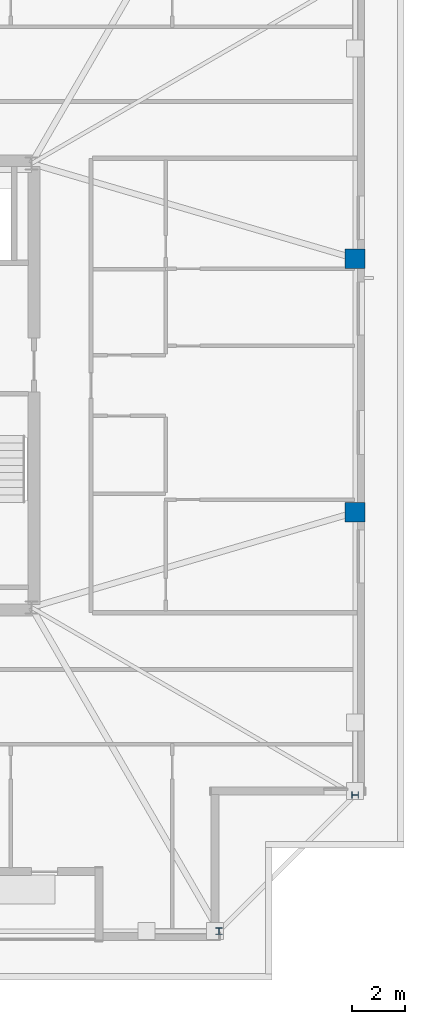
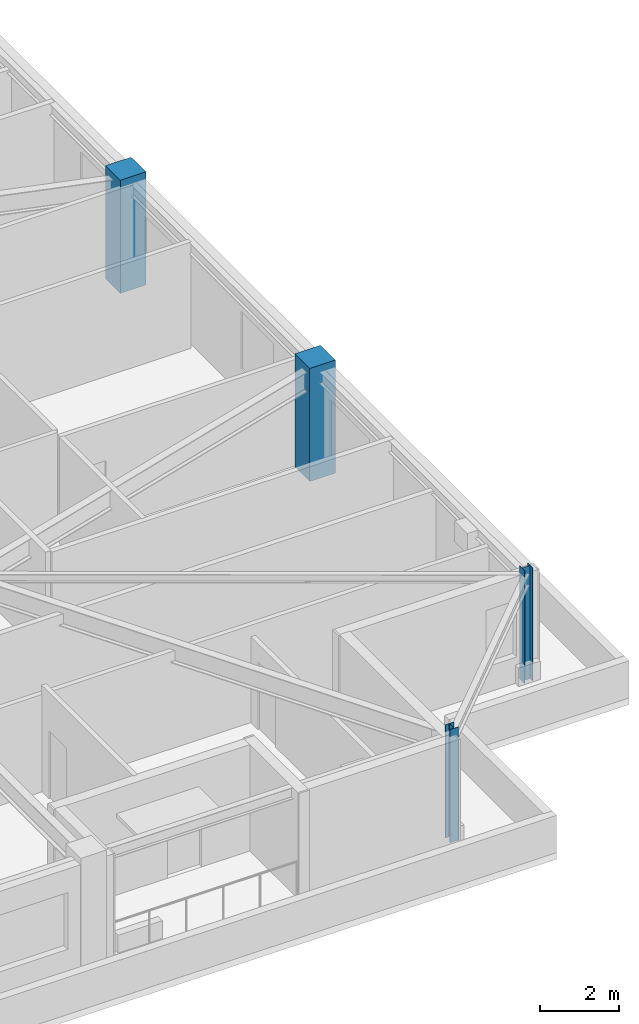
# One storey, part 3 of 15: 4 columns.
"""IFC4 building model written with IfcOpenShell, lengths in metres."""

from ifc_helpers import new_model, si_unit, direction, frame, origin, origin_2d, place, context, subcontext, project, spatial, rectangle, i_section, extrude, material, material_profile, profile_set, type_object, element, save


model = new_model("IFC4")

# Units and contexts
model_context = context("Model", 3, precision=1e-05, world=origin(), true_north=direction((0.0, 1.0)))
body_context = subcontext(model_context, "Body", "Model", "MODEL_VIEW")
ifc_project = project(units=[si_unit("LENGTHUNIT", "METRE"), si_unit("AREAUNIT", "SQUARE_METRE"), si_unit("VOLUMEUNIT", "CUBIC_METRE"), si_unit("PLANEANGLEUNIT", "RADIAN"), si_unit("MASSUNIT", "GRAM", prefix="KILO")], contexts=[model_context])

# Site, building, storey
site_placement = place(None, origin())
site = spatial("IfcSite", under=ifc_project, at=site_placement, CompositionType="ELEMENT")
building_placement = place(site_placement, origin())
building = spatial("IfcBuilding", under=site, at=building_placement, Name="Cairnveth Concourse Tower", CompositionType="ELEMENT")
storey_placement = place(building_placement, frame((0.0, 0.0, 280.5)))
storey = spatial("IfcBuildingStorey", under=building, at=storey_placement, Name="L77", CompositionType="ELEMENT", Elevation=280.5)

# Columns
ifc_material_1 = material(Name="Concrete N50 (50 MPa)", Category="concrete")
ifc_material_profile_1 = material_profile(ifc_material_1, rectangle(XDim=0.75, YDim=0.75, at=origin_2d()), Name="RC-COL-750x750")
ifc_profile_set_1 = profile_set([ifc_material_profile_1], Name="Concrete N50 (50 MPa)")
column_type_1 = type_object("IfcColumnType", Name="PERIMETER PIER COLUMN 750X750", PredefinedType="COLUMN", material=ifc_profile_set_1)
for number, where, z_axis, x_axis, name in (
    (1, (72.64990234375, 34.199951171875, 0.0), (0.0, 0.0, 1.0), (0.0, 1.0, 0.0), "Column P-E2 L77"),
    (2, (72.64990234375, 43.800048828125, 0.0), (0.0, 0.0, 1.0), (0.0, 1.0, 0.0), "Column P-E3 L77"),
):
    element("IfcColumn", number, at=place(storey_placement, frame(where, z_axis=z_axis, x_axis=x_axis)), inside=storey, type_object=column_type_1, Name=name, PredefinedType="COLUMN", context=body_context, shape_type="SweptSolid", body=[
        extrude(rectangle(XDim=0.75, YDim=0.75, at=origin_2d()), origin(), (0.0, 0.0, 1.0), 3.5),
    ])
ifc_material_2 = material(Name="Steel Grade 350", Category="steel")
ifc_material_profile_2 = material_profile(ifc_material_2, i_section(OverallWidth=0.25390625, OverallDepth=0.25390625, WebThickness=0.008544921875, FlangeThickness=0.01416015625, FilletRadius=0.012939453125, at=origin_2d()), Name="250UC72.9")
ifc_profile_set_2 = profile_set([ifc_material_profile_2], Name="Steel Grade 350")
column_type_2 = type_object("IfcColumnType", Name="UNIVERSAL STEEL COLUMN 250UC72.9", PredefinedType="COLUMN", material=ifc_profile_set_2)
for number, where, z_axis, x_axis, name in (
    (3, (67.5, 18.35009765625, 0.0), (0.0, 0.0, 1.0), (1.0, 0.0, 0.0), "Column P-S4 L77"),
    (4, (72.64990234375, 23.5, 0.0), (0.0, 0.0, 1.0), (0.0, 1.0, 0.0), "Column P-E1 L77"),
):
    element("IfcColumn", number, at=place(storey_placement, frame(where, z_axis=z_axis, x_axis=x_axis)), inside=storey, type_object=column_type_2, Name=name, PredefinedType="COLUMN", context=body_context, shape_type="SweptSolid", body=[
        extrude(i_section(OverallWidth=0.25390625, OverallDepth=0.25390625, WebThickness=0.008544921875, FlangeThickness=0.01416015625, FilletRadius=0.012939453125, at=origin_2d()), origin(), (0.0, 0.0, 1.0), 3.5),
    ])

save(model, "model.ifc")
